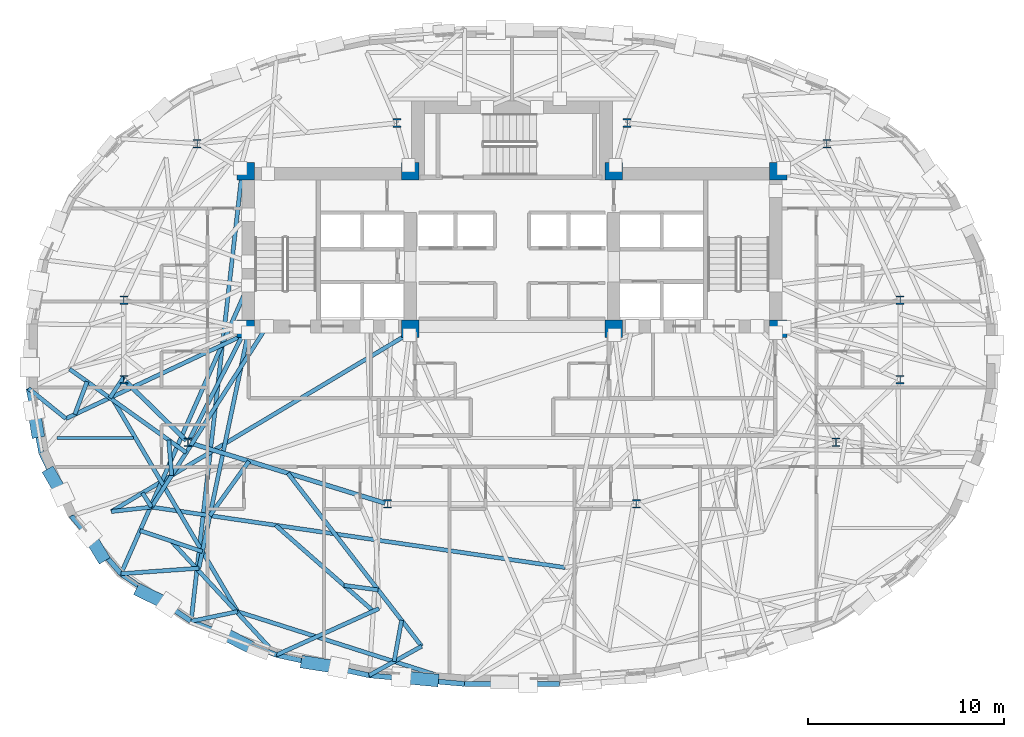
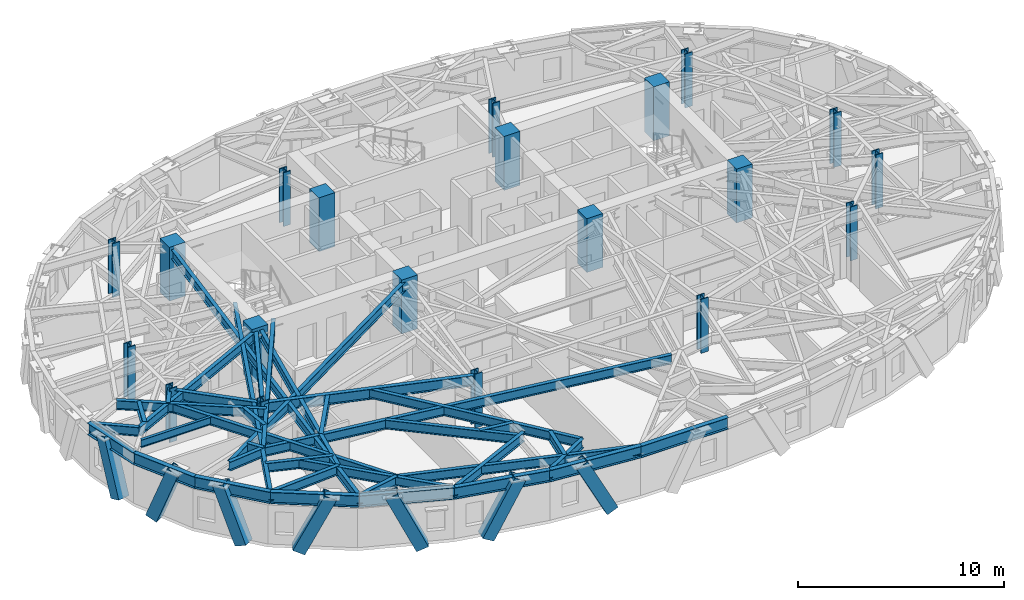
# One storey, part 1 of 15: 39 beams, 20 columns, 7 members.
"""IFC4 building model written with IfcOpenShell, lengths in metres."""

from ifc_helpers import new_model, si_unit, direction, frame, origin, origin_2d, place, context, subcontext, project, spatial, rectangle, hollow_rectangle, i_section, extrude, material, material_profile, profile_set, type_object, element, save


model = new_model("IFC4")

# Units and contexts
model_context = context("Model", 3, precision=1e-05, world=origin(), true_north=direction((0.0, 1.0)))
body_context = subcontext(model_context, "Body", "Model", "MODEL_VIEW")
ifc_project = project(units=[si_unit("LENGTHUNIT", "METRE"), si_unit("AREAUNIT", "SQUARE_METRE"), si_unit("VOLUMEUNIT", "CUBIC_METRE"), si_unit("PLANEANGLEUNIT", "RADIAN"), si_unit("MASSUNIT", "GRAM", prefix="KILO")], contexts=[model_context])

# Site, building, storey
site_placement = place(None, origin())
site = spatial("IfcSite", under=ifc_project, at=site_placement, CompositionType="ELEMENT")
building_placement = place(site_placement, origin())
building = spatial("IfcBuilding", under=site, at=building_placement, Name="Keldmark Tower", CompositionType="ELEMENT")
storey_placement = place(building_placement, frame((0.0, 0.0, 150.199951171875)))
storey = spatial("IfcBuildingStorey", under=building, at=storey_placement, Name="L40", CompositionType="ELEMENT", Elevation=150.199951171875)

# Columns
ifc_material_1 = material(Name="Concrete C50/60", Category="concrete")
ifc_material_profile_1 = material_profile(ifc_material_1, rectangle(XDim=0.89990234375, YDim=0.89990234375, at=origin_2d()), Name="RC900X900")
ifc_profile_set_1 = profile_set([ifc_material_profile_1], Name="Concrete C50/60")
column_type_1 = type_object("IfcColumnType", Name="Core Boundary Column RC900", PredefinedType="COLUMN", material=ifc_profile_set_1)
for number, where, z_axis, x_axis, name in (
    (1, (-13.60009765625, 1.39990234375, 0.0), (0.0, 0.0, 1.0), (1.0, 0.0, 0.0), "L40 Core Boundary Column CC-W1"),
    (2, (-13.60009765625, 9.449951171875, 0.0), (0.0, 0.0, 1.0), (1.0, 0.0, 0.0), "L40 Core Boundary Column CC-W2"),
    (3, (-5.199951171875, 1.39990234375, 0.0), (0.0, 0.0, 1.0), (1.0, 0.0, 0.0), "L40 Core Boundary Column CC-W3"),
    (4, (-5.199951171875, 9.449951171875, 0.0), (0.0, 0.0, 1.0), (1.0, 0.0, 0.0), "L40 Core Boundary Column CC-W4"),
    (5, (5.199951171875, 1.39990234375, 0.0), (0.0, 0.0, 1.0), (1.0, 0.0, 0.0), "L40 Core Boundary Column CC-E1"),
    (6, (5.199951171875, 9.449951171875, 0.0), (0.0, 0.0, 1.0), (1.0, 0.0, 0.0), "L40 Core Boundary Column CC-E2"),
    (7, (13.60009765625, 1.39990234375, 0.0), (0.0, 0.0, 1.0), (1.0, 0.0, 0.0), "L40 Core Boundary Column CC-E3"),
    (8, (13.60009765625, 9.449951171875, 0.0), (0.0, 0.0, 1.0), (1.0, 0.0, 0.0), "L40 Core Boundary Column CC-E4"),
):
    element("IfcColumn", number, at=place(storey_placement, frame(where, z_axis=z_axis, x_axis=x_axis)), inside=storey, type_object=column_type_1, Name=name, PredefinedType="COLUMN", context=body_context, shape_type="SweptSolid", body=[
        extrude(rectangle(XDim=0.89990234375, YDim=0.89990234375, at=origin_2d()), origin(), (0.0, 0.0, 1.0), 3.199951171875),
    ])
ifc_material_2 = material(Name="Steel ASTM A992 Grade 50", Category="steel")
ifc_material_profile_2 = material_profile(ifc_material_2, i_section(OverallWidth=0.412109375, OverallDepth=0.43505859375, WebThickness=0.035888671875, FlangeThickness=0.057373046875, at=origin_2d()), Name="W14X311")
ifc_profile_set_2 = profile_set([ifc_material_profile_2], Name="Steel ASTM A992 Grade 50")
column_type_2 = type_object("IfcColumnType", Name="Tower Gravity Column W14X311", PredefinedType="COLUMN", material=ifc_profile_set_2)
for number, where, z_axis, x_axis, name in (
    (9, (19.828369140625, 2.869140625, 0.0), (0.0, 0.0, 1.0), (1.0, 0.0, 0.0), "L40 Tower Gravity Column TC-E1"),
    (10, (16.08154296875, 10.861083984375, 0.0), (0.0, 0.0, 1.0), (1.0, 0.0, 0.0), "L40 Tower Gravity Column TC-E4"),
    (11, (5.880126953125, 11.915283203125, 0.0), (0.0, 0.0, 1.0), (1.0, 0.0, 0.0), "L40 Tower Gravity Column TC-N2"),
    (12, (-5.880126953125, 11.915283203125, 0.0), (0.0, 0.0, 1.0), (1.0, 0.0, 0.0), "L40 Tower Gravity Column TC-N1"),
    (13, (-16.08154296875, 10.861083984375, 0.0), (0.0, 0.0, 1.0), (1.0, 0.0, 0.0), "L40 Tower Gravity Column TC-W4"),
    (14, (-19.828369140625, 2.869140625, 0.0), (0.0, 0.0, 1.0), (1.0, 0.0, 0.0), "L40 Tower Gravity Column TC-W1"),
    (15, (-19.828369140625, -1.189208984375, 0.0), (0.0, 0.0, 1.0), (1.0, 0.0, 0.0), "L40 Tower Gravity Column TC-W5"),
    (16, (-16.546630859375, -4.3984375, 0.0), (0.0, 0.0, 1.0), (1.0, 0.0, 0.0), "L40 Tower Gravity Column TC-W2"),
    (17, (-6.351318359375, -7.546142578125, 0.0), (0.0, 0.0, 1.0), (1.0, 0.0, 0.0), "L40 Tower Gravity Column TC-W3"),
    (18, (6.351318359375, -7.546142578125, 0.0), (0.0, 0.0, 1.0), (1.0, 0.0, 0.0), "L40 Tower Gravity Column TC-E3"),
    (19, (16.546630859375, -4.3984375, 0.0), (0.0, 0.0, 1.0), (1.0, 0.0, 0.0), "L40 Tower Gravity Column TC-E2"),
    (20, (19.828369140625, -1.189208984375, 0.0), (0.0, 0.0, 1.0), (1.0, 0.0, 0.0), "L40 Tower Gravity Column TC-E5"),
):
    element("IfcColumn", number, at=place(storey_placement, frame(where, z_axis=z_axis, x_axis=x_axis)), inside=storey, type_object=column_type_2, Name=name, PredefinedType="COLUMN", context=body_context, shape_type="SweptSolid", body=[
        extrude(i_section(OverallWidth=0.412109375, OverallDepth=0.43505859375, WebThickness=0.035888671875, FlangeThickness=0.057373046875, at=origin_2d()), origin(), (0.0, 0.0, 1.0), 3.199951171875),
    ])

# Beam
ifc_material_3 = material(Name="Steel ASTM A992 Grade 50", Category="steel")
ifc_material_profile_3 = material_profile(ifc_material_3, i_section(OverallWidth=0.153076171875, OverallDepth=0.455078125, WebThickness=0.008056640625, FlangeThickness=0.01318359375, at=origin_2d()), Name="W18X40")
ifc_profile_set_3 = profile_set([ifc_material_profile_3], Name="Steel ASTM A992 Grade 50")
beam_type_1 = type_object("IfcBeamType", Name="Composite Floor Joist W18X40", PredefinedType="JOIST", material=ifc_profile_set_3)
beam_1_placement = place(storey_placement, frame((-23.255615234375, -4.179931640625, 2.79248046875), z_axis=(1.0, 0.0, 0.0), x_axis=(0.0, 1.0, 0.0)))
element("IfcBeam", 21, at=beam_1_placement, inside=storey, type_object=beam_type_1, Name="L40 Composite Floor Joist J02", PredefinedType="JOIST", context=body_context, shape_type="SweptSolid", body=[
    extrude(i_section(OverallWidth=0.153076171875, OverallDepth=0.455078125, WebThickness=0.008056640625, FlangeThickness=0.01318359375, at=origin_2d()), origin(), (0.0, 0.0, 1.0), 3.91455078125),
])

# Members
ifc_material_4 = material(Name="Steel ASTM A572 Grade 50", Category="steel")
ifc_material_profile_4 = material_profile(ifc_material_4, hollow_rectangle(XDim=0.64990234375, YDim=0.64990234375, WallThickness=0.0400390625, at=origin_2d()), Name="BOX650X650X40")
ifc_profile_set_4 = profile_set([ifc_material_profile_4], Name="Steel ASTM A572 Grade 50")
member_type = type_object("IfcMemberType", Name="Diagrid Zone 3 Brace BOX650X650X40", PredefinedType="BRACE", material=ifc_profile_set_4)
member_1_placement = place(storey_placement, frame((-24.240234375, -3.848388671875, -0.260009765625), z_axis=(-0.054240986577, 0.330032741146, 0.942409839267), x_axis=(-0.986762068157, -0.162174661544, 0.0)))
element("IfcMember", 22, at=member_1_placement, inside=storey, type_object=member_type, Name="L40 Perimeter Diagrid Brace 09A", PredefinedType="BRACE", context=body_context, shape_type="SweptSolid", body=[
    extrude(hollow_rectangle(XDim=0.64990234375, YDim=0.64990234375, WallThickness=0.0400390625, at=origin_2d()), origin(), (0.0, 0.0, 1.0), 3.353271484375),
])
member_2_placement = place(storey_placement, frame((-23.574951171875, -6.026123046875, -0.260009765625), z_axis=(0.179422195456, -0.308323257839, 0.934207923566), x_axis=(0.864306761674, 0.502965030319, 0.0)))
element("IfcMember", 23, at=member_2_placement, inside=storey, type_object=member_type, Name="L40 Perimeter Diagrid Brace 09B", PredefinedType="BRACE", context=body_context, shape_type="SweptSolid", body=[
    extrude(hollow_rectangle(XDim=0.64990234375, YDim=0.64990234375, WallThickness=0.0400390625, at=origin_2d()), origin(), (0.0, 0.0, 1.0), 3.3828125),
])
member_3_placement = place(storey_placement, frame((-20.96044921875, -10.195068359375, -0.260009765625), z_axis=(-0.192310719836, 0.317696448398, 0.928485623858), x_axis=(-0.855475309795, -0.517843600262, 0.0)))
element("IfcMember", 24, at=member_3_placement, inside=storey, type_object=member_type, Name="L40 Perimeter Diagrid Brace 10A", PredefinedType="BRACE", context=body_context, shape_type="SweptSolid", body=[
    extrude(hollow_rectangle(XDim=0.64990234375, YDim=0.64990234375, WallThickness=0.0400390625, at=origin_2d()), origin(), (0.0, 0.0, 1.0), 3.403564453125),
])
member_4_placement = place(storey_placement, frame((-18.9306640625, -12.00732421875, -0.260009765625), z_axis=(0.394893634989, -0.194706909084, 0.897857581468), x_axis=(0.442228252269, 0.8969025437, 0.0)))
element("IfcMember", 25, at=member_4_placement, inside=storey, type_object=member_type, Name="L40 Perimeter Diagrid Brace 10B", PredefinedType="BRACE", context=body_context, shape_type="SweptSolid", body=[
    extrude(hollow_rectangle(XDim=0.64990234375, YDim=0.64990234375, WallThickness=0.0400390625, at=origin_2d()), origin(), (0.0, 0.0, 1.0), 3.519775390625),
])
member_5_placement = place(storey_placement, frame((-13.562744140625, -14.759765625, -0.260009765625), z_axis=(-0.382519162566, 0.197744138724, 0.902538833441), x_axis=(-0.45922027239, -0.888322431005, 0.0)))
element("IfcMember", 26, at=member_5_placement, inside=storey, type_object=member_type, Name="L40 Perimeter Diagrid Brace 11A", PredefinedType="BRACE", context=body_context, shape_type="SweptSolid", body=[
    extrude(hollow_rectangle(XDim=0.64990234375, YDim=0.64990234375, WallThickness=0.0400390625, at=origin_2d()), origin(), (0.0, 0.0, 1.0), 3.50146484375),
])
member_6_placement = place(storey_placement, frame((-10.4892578125, -15.640869140625, -0.260009765625), z_axis=(0.460076413908, -0.072942278401, 0.884878024016), x_axis=(0.156588037619, 0.987664004849, 0.0)))
element("IfcMember", 27, at=member_6_placement, inside=storey, type_object=member_type, Name="L40 Perimeter Diagrid Brace 11B", PredefinedType="BRACE", context=body_context, shape_type="SweptSolid", body=[
    extrude(hollow_rectangle(XDim=0.64990234375, YDim=0.64990234375, WallThickness=0.0400390625, at=origin_2d()), origin(), (0.0, 0.0, 1.0), 3.5712890625),
])
member_7_placement = place(storey_placement, frame((-4.041015625, -16.54150390625, -0.260009765625), z_axis=(-0.454817732404, 0.042540371163, 0.889567955309), x_axis=(-0.093126324045, -0.995654301337, 0.0)))
element("IfcMember", 28, at=member_7_placement, inside=storey, type_object=member_type, Name="L40 Perimeter Diagrid Brace 12A", PredefinedType="BRACE", context=body_context, shape_type="SweptSolid", body=[
    extrude(hollow_rectangle(XDim=0.64990234375, YDim=0.64990234375, WallThickness=0.0400390625, at=origin_2d()), origin(), (0.0, 0.0, 1.0), 3.552490234375),
])

# Beams
ifc_material_5 = material(Name="Steel ASTM A992 Grade 50", Category="steel")
ifc_material_profile_5 = material_profile(ifc_material_5, i_section(OverallWidth=0.22900390625, OverallDepth=0.612060546875, WebThickness=0.011962890625, FlangeThickness=0.01953125, at=origin_2d()), Name="W24X84")
ifc_profile_set_5 = profile_set([ifc_material_profile_5], Name="Steel ASTM A992 Grade 50")
beam_type_2 = type_object("IfcBeamType", Name="Primary Floor Girder W24X84", PredefinedType="BEAM", material=ifc_profile_set_5)
beam_2_placement = place(storey_placement, frame((-19.728271484375, -1.287109375, 2.714111328125), z_axis=(0.714964509815, -0.699160746684, 0.0), x_axis=(0.699160746684, 0.714964509815, 0.0)))
element("IfcBeam", 29, at=beam_2_placement, inside=storey, type_object=beam_type_2, Name="L40 Floor Ring Girder FG-R07", PredefinedType="BEAM", context=body_context, shape_type="SweptSolid", body=[
    extrude(i_section(OverallWidth=0.22900390625, OverallDepth=0.612060546875, WebThickness=0.011962890625, FlangeThickness=0.01953125, at=origin_2d()), origin(), (0.0, 0.0, 1.0), 4.31005859375),
])
beam_3_placement = place(storey_placement, frame((-16.412841796875, -4.439697265625, 2.714111328125), z_axis=(0.955494563145, -0.295008711398, 0.0), x_axis=(0.295008711398, 0.955494563145, 0.0)))
element("IfcBeam", 30, at=beam_3_placement, inside=storey, type_object=beam_type_2, Name="L40 Floor Ring Girder FG-R08", PredefinedType="BEAM", context=body_context, shape_type="SweptSolid", body=[
    extrude(i_section(OverallWidth=0.22900390625, OverallDepth=0.612060546875, WebThickness=0.011962890625, FlangeThickness=0.01953125, at=origin_2d()), origin(), (0.0, 0.0, 1.0), 10.39013671875),
])
ifc_material_6 = material(Name="Steel ASTM A992 Grade 50", Category="steel")
ifc_material_profile_6 = material_profile(ifc_material_6, i_section(OverallWidth=0.2099609375, OverallDepth=0.537109375, WebThickness=0.010986328125, FlangeThickness=0.017333984375, at=origin_2d()), Name="W21X68")
ifc_profile_set_6 = profile_set([ifc_material_profile_6], Name="Steel ASTM A992 Grade 50")
beam_type_3 = type_object("IfcBeamType", Name="Radial Tie Girder W21X68", PredefinedType="BEAM", material=ifc_profile_set_6)
beam_4_placement = place(storey_placement, frame((-16.4833984375, -4.273681640625, 2.75146484375), z_axis=(0.453036691775, 0.891491870914, 0.0), x_axis=(-0.891491870914, 0.453036691775, 0.0)))
element("IfcBeam", 31, at=beam_4_placement, inside=storey, type_object=beam_type_3, Name="L40 Floor Radial Girder FG-C08", PredefinedType="BEAM", context=body_context, shape_type="SweptSolid", body=[
    extrude(i_section(OverallWidth=0.2099609375, OverallDepth=0.537109375, WebThickness=0.010986328125, FlangeThickness=0.017333984375, at=origin_2d()), origin(), (0.0, 0.0, 1.0), 6.044189453125),
])
beam_5_placement = place(storey_placement, frame((-22.5986328125, -0.6552734375, 2.75146484375), z_axis=(0.812929104938, -0.582362662217, 0.0), x_axis=(0.582362662217, 0.812929104938, 0.0)))
element("IfcBeam", 32, at=beam_5_placement, inside=storey, type_object=beam_type_3, Name="L40 Framing Pin Header PH-006", PredefinedType="BEAM", context=body_context, shape_type="SweptSolid", body=[
    extrude(i_section(OverallWidth=0.2099609375, OverallDepth=0.537109375, WebThickness=0.010986328125, FlangeThickness=0.017333984375, at=origin_2d()), origin(), (0.0, 0.0, 1.0), 7.328369140625),
])
beam_6_placement = place(storey_placement, frame((-12.52490234375, 1.52490234375, 2.75146484375), z_axis=(-0.538066457833, -0.842902418406, 0.0), x_axis=(0.842902418406, -0.538066457833, 0.0)))
element("IfcBeam", 33, at=beam_6_placement, inside=storey, type_object=beam_type_3, Name="L40 Sub-Ring Step Girder STP2-M08", PredefinedType="BEAM", context=body_context, shape_type="SweptSolid", body=[
    extrude(i_section(OverallWidth=0.2099609375, OverallDepth=0.537109375, WebThickness=0.010986328125, FlangeThickness=0.017333984375, at=origin_2d()), origin(), (0.0, 0.0, 1.0), 10.951416015625),
])
beam_7_placement = place(storey_placement, frame((-18.41748046875, -7.7060546875, 2.75146484375), z_axis=(0.989482499503, -0.144652629347, 0.0), x_axis=(0.144652629347, 0.989482499503, 0.0)))
element("IfcBeam", 34, at=beam_7_placement, inside=storey, type_object=beam_type_3, Name="L40 Perimeter Collector Ring Beam CRG2-M08", PredefinedType="BEAM", context=body_context, shape_type="SweptSolid", body=[
    extrude(i_section(OverallWidth=0.2099609375, OverallDepth=0.537109375, WebThickness=0.010986328125, FlangeThickness=0.017333984375, at=origin_2d()), origin(), (0.0, 0.0, 1.0), 21.362060546875),
])
beam_8_placement = place(storey_placement, frame((-19.828369140625, -1.04931640625, 2.75146484375), z_axis=(-0.552520960283, -0.833499003268, 0.0), x_axis=(0.833499003268, -0.552520960283, 0.0)))
element("IfcBeam", 35, at=beam_8_placement, inside=storey, type_object=beam_type_3, Name="L40 Framing Pin Header PH-019", PredefinedType="BEAM", context=body_context, shape_type="SweptSolid", body=[
    extrude(i_section(OverallWidth=0.2099609375, OverallDepth=0.537109375, WebThickness=0.010986328125, FlangeThickness=0.017333984375, at=origin_2d()), origin(), (0.0, 0.0, 1.0), 1.293701171875),
])
beam_9_placement = place(storey_placement, frame((-13.47509765625, 1.199951171875, 2.75146484375), z_axis=(-0.904738050541, -0.425968378995, 0.0), x_axis=(0.425968378995, -0.904738050541, 0.0)))
element("IfcBeam", 36, at=beam_9_placement, inside=storey, type_object=beam_type_3, Name="L40 Intermediate Radial Step Girder RT-18M", PredefinedType="BEAM", context=body_context, shape_type="SweptSolid", body=[
    extrude(i_section(OverallWidth=0.2099609375, OverallDepth=0.537109375, WebThickness=0.010986328125, FlangeThickness=0.017333984375, at=origin_2d()), origin(), (0.0, 0.0, 1.0), 10.29248046875),
])
beam_10_placement = place(storey_placement, frame((-24.69873046875, -1.64892578125, 2.75146484375), z_axis=(0.779653034858, -0.626211741535, 0.0), x_axis=(0.626211741535, 0.779653034858, 0.0)))
element("IfcBeam", 37, at=beam_10_placement, inside=storey, type_object=beam_type_3, Name="L40 Local Collector Chord RT-18C", PredefinedType="BEAM", context=body_context, shape_type="SweptSolid", body=[
    extrude(i_section(OverallWidth=0.2099609375, OverallDepth=0.537109375, WebThickness=0.010986328125, FlangeThickness=0.017333984375, at=origin_2d()), origin(), (0.0, 0.0, 1.0), 2.451904296875),
])
beam_11_placement = place(storey_placement, frame((-21.705078125, -1.29541015625, 2.75146484375), z_axis=(-0.3518703491, -0.936048747355, 0.0), x_axis=(0.936048747355, -0.3518703491, 0.0)))
element("IfcBeam", 38, at=beam_11_placement, inside=storey, type_object=beam_type_3, Name="L40 Framing Pin Header PH-020", PredefinedType="BEAM", context=body_context, shape_type="SweptSolid", body=[
    extrude(i_section(OverallWidth=0.2099609375, OverallDepth=0.537109375, WebThickness=0.010986328125, FlangeThickness=0.017333984375, at=origin_2d()), origin(), (0.0, 0.0, 1.0), 1.790771484375),
])
beam_12_placement = place(storey_placement, frame((-17.53466796875, -4.282958984375, 2.75146484375), z_axis=(0.082588324738, -0.996583748923, 0.0), x_axis=(0.996583748923, 0.082588324738, 0.0)))
element("IfcBeam", 39, at=beam_12_placement, inside=storey, type_object=beam_type_3, Name="L40 Framing Pin Header PH-021", PredefinedType="BEAM", context=body_context, shape_type="SweptSolid", body=[
    extrude(i_section(OverallWidth=0.2099609375, OverallDepth=0.537109375, WebThickness=0.010986328125, FlangeThickness=0.017333984375, at=origin_2d()), origin(), (0.0, 0.0, 1.0), 1.81201171875),
])
beam_13_placement = place(storey_placement, frame((-5.199951171875, 1.199951171875, 2.75146484375), z_axis=(-0.858184836638, -0.513340808981, 0.0), x_axis=(0.513340808981, -0.858184836638, 0.0)))
element("IfcBeam", 40, at=beam_13_placement, inside=storey, type_object=beam_type_3, Name="L40 Intermediate Radial Step Girder RT-19M", PredefinedType="BEAM", context=body_context, shape_type="SweptSolid", body=[
    extrude(i_section(OverallWidth=0.2099609375, OverallDepth=0.537109375, WebThickness=0.010986328125, FlangeThickness=0.017333984375, at=origin_2d()), origin(), (0.0, 0.0, 1.0), 17.78857421875),
])
beam_14_placement = place(storey_placement, frame((-18.41748046875, -7.7060546875, 2.75146484375), z_axis=(-0.993990183721, -0.109469240734, 0.0), x_axis=(0.109469240734, -0.993990183721, 0.0)))
element("IfcBeam", 41, at=beam_14_placement, inside=storey, type_object=beam_type_3, Name="L40 Local Collector Chord RT-19C", PredefinedType="BEAM", context=body_context, shape_type="SweptSolid", body=[
    extrude(i_section(OverallWidth=0.2099609375, OverallDepth=0.537109375, WebThickness=0.010986328125, FlangeThickness=0.017333984375, at=origin_2d()), origin(), (0.0, 0.0, 1.0), 2.060791015625),
])
beam_15_placement = place(storey_placement, frame((-18.41748046875, -7.7060546875, 2.75146484375), z_axis=(-0.534314085557, 0.845286021401, 0.0), x_axis=(-0.845286021401, -0.534314085557, 0.0)))
element("IfcBeam", 42, at=beam_15_placement, inside=storey, type_object=beam_type_3, Name="L40 Framing Pin Header PH-022", PredefinedType="BEAM", context=body_context, shape_type="SweptSolid", body=[
    extrude(i_section(OverallWidth=0.2099609375, OverallDepth=0.537109375, WebThickness=0.010986328125, FlangeThickness=0.017333984375, at=origin_2d()), origin(), (0.0, 0.0, 1.0), 0.858154296875),
])
beam_16_placement = place(storey_placement, frame((-13.47509765625, 3.6142578125, 2.75146484375), z_axis=(-0.403801137643, -0.914846785663, 0.0), x_axis=(0.914846785663, -0.403801137643, 0.0)))
element("IfcBeam", 43, at=beam_16_placement, inside=storey, type_object=beam_type_3, Name="L40 Perimeter Radial Tie Girder RT-20", PredefinedType="BEAM", context=body_context, shape_type="SweptSolid", body=[
    extrude(i_section(OverallWidth=0.2099609375, OverallDepth=0.537109375, WebThickness=0.010986328125, FlangeThickness=0.017333984375, at=origin_2d()), origin(), (0.0, 0.0, 1.0), 16.096923828125),
])
beam_17_placement = place(storey_placement, frame((-13.4345703125, -5.359375, 2.75146484375), z_axis=(-0.583399653221, -0.812185228025, 0.0), x_axis=(0.812185228025, -0.583399653221, 0.0)))
element("IfcBeam", 44, at=beam_17_placement, inside=storey, type_object=beam_type_3, Name="L40 Framing Pin Header PH-023", PredefinedType="BEAM", context=body_context, shape_type="SweptSolid", body=[
    extrude(i_section(OverallWidth=0.2099609375, OverallDepth=0.537109375, WebThickness=0.010986328125, FlangeThickness=0.017333984375, at=origin_2d()), origin(), (0.0, 0.0, 1.0), 3.426513671875),
])
beam_18_placement = place(storey_placement, frame((-13.47509765625, 1.199951171875, 2.75146484375), z_axis=(-0.205176482086, -0.97872499263, 0.0), x_axis=(0.97872499263, -0.205176482086, 0.0)))
element("IfcBeam", 45, at=beam_18_placement, inside=storey, type_object=beam_type_3, Name="L40 Intermediate Radial Step Girder RT-21M", PredefinedType="BEAM", context=body_context, shape_type="SweptSolid", body=[
    extrude(i_section(OverallWidth=0.2099609375, OverallDepth=0.537109375, WebThickness=0.010986328125, FlangeThickness=0.017333984375, at=origin_2d()), origin(), (0.0, 0.0, 1.0), 12.29052734375),
])
beam_19_placement = place(storey_placement, frame((-19.97509765625, -11.112060546875, 2.75146484375), z_axis=(0.997480095059, 0.070946881263, 0.0), x_axis=(-0.070946881263, 0.997480095059, 0.0)))
element("IfcBeam", 46, at=beam_19_placement, inside=storey, type_object=beam_type_3, Name="L40 Local Collector Chord RT-21C", PredefinedType="BEAM", context=body_context, shape_type="SweptSolid", body=[
    extrude(i_section(OverallWidth=0.2099609375, OverallDepth=0.537109375, WebThickness=0.010986328125, FlangeThickness=0.017333984375, at=origin_2d()), origin(), (0.0, 0.0, 1.0), 3.98828125),
])
beam_20_placement = place(storey_placement, frame((-13.800048828125, 9.324951171875, 2.75146484375), z_axis=(-0.112683299021, -0.993630954692, 0.0), x_axis=(0.993630954692, -0.112683299021, 0.0)))
element("IfcBeam", 47, at=beam_20_placement, inside=storey, type_object=beam_type_3, Name="L40 Perimeter Radial Tie Girder RT-21", PredefinedType="BEAM", context=body_context, shape_type="SweptSolid", body=[
    extrude(i_section(OverallWidth=0.2099609375, OverallDepth=0.537109375, WebThickness=0.010986328125, FlangeThickness=0.017333984375, at=origin_2d()), origin(), (0.0, 0.0, 1.0), 23.011474609375),
])
beam_21_placement = place(storey_placement, frame((-19.0, -8.903076171875, 2.75146484375), z_axis=(0.947293037227, -0.320368384242, 0.0), x_axis=(0.320368384242, 0.947293037227, 0.0)))
element("IfcBeam", 48, at=beam_21_placement, inside=storey, type_object=beam_type_3, Name="L40 Framing Pin Header PH-024", PredefinedType="BEAM", context=body_context, shape_type="SweptSolid", body=[
    extrude(i_section(OverallWidth=0.2099609375, OverallDepth=0.537109375, WebThickness=0.010986328125, FlangeThickness=0.017333984375, at=origin_2d()), origin(), (0.0, 0.0, 1.0), 3.3583984375),
])
beam_22_placement = place(storey_placement, frame((-20.458984375, -2.088134765625, 2.75146484375), z_axis=(0.506928631547, -0.86198802922, 0.0), x_axis=(0.86198802922, 0.506928631547, 0.0)))
element("IfcBeam", 49, at=beam_22_placement, inside=storey, type_object=beam_type_3, Name="L40 Intermediate Radial Step Girder RT-22M", PredefinedType="BEAM", context=body_context, shape_type="SweptSolid", body=[
    extrude(i_section(OverallWidth=0.2099609375, OverallDepth=0.537109375, WebThickness=0.010986328125, FlangeThickness=0.017333984375, at=origin_2d()), origin(), (0.0, 0.0, 1.0), 12.711181640625),
])
beam_23_placement = place(storey_placement, frame((-16.39306640625, -13.5400390625, 2.75146484375), z_axis=(0.978999650355, 0.203861925343, 0.0), x_axis=(-0.203861925343, 0.978999650355, 0.0)))
element("IfcBeam", 50, at=beam_23_placement, inside=storey, type_object=beam_type_3, Name="L40 Local Collector Chord RT-22C", PredefinedType="BEAM", context=body_context, shape_type="SweptSolid", body=[
    extrude(i_section(OverallWidth=0.2099609375, OverallDepth=0.537109375, WebThickness=0.010986328125, FlangeThickness=0.017333984375, at=origin_2d()), origin(), (0.0, 0.0, 1.0), 2.4287109375),
])
beam_24_placement = place(storey_placement, frame((-17.4091796875, -9.44091796875, 2.75146484375), z_axis=(0.678459272007, -0.734638017141, 0.0), x_axis=(0.734638017141, 0.678459272007, 0.0)))
element("IfcBeam", 51, at=beam_24_placement, inside=storey, type_object=beam_type_3, Name="L40 Perimeter Radial Tie Girder RT-22", PredefinedType="BEAM", context=body_context, shape_type="SweptSolid", body=[
    extrude(i_section(OverallWidth=0.2099609375, OverallDepth=0.537109375, WebThickness=0.010986328125, FlangeThickness=0.017333984375, at=origin_2d()), origin(), (0.0, 0.0, 1.0), 7.92236328125),
])
beam_25_placement = place(storey_placement, frame((-12.0341796875, -15.260986328125, 2.75146484375), z_axis=(0.910977660275, 0.412455697596, 0.0), x_axis=(-0.412455697596, 0.910977660275, 0.0)))
element("IfcBeam", 52, at=beam_25_placement, inside=storey, type_object=beam_type_3, Name="L40 Local Collector Chord RT-23C", PredefinedType="BEAM", context=body_context, shape_type="SweptSolid", body=[
    extrude(i_section(OverallWidth=0.2099609375, OverallDepth=0.537109375, WebThickness=0.010986328125, FlangeThickness=0.017333984375, at=origin_2d()), origin(), (0.0, 0.0, 1.0), 5.75),
])
beam_26_placement = place(storey_placement, frame((-12.076171875, -8.633056640625, 2.75146484375), z_axis=(0.751175386678, -0.660102672657, 0.0), x_axis=(0.660102672657, 0.751175386678, 0.0)))
element("IfcBeam", 53, at=beam_26_placement, inside=storey, type_object=beam_type_3, Name="L40 Framing Pin Header PH-026", PredefinedType="BEAM", context=body_context, shape_type="SweptSolid", body=[
    extrude(i_section(OverallWidth=0.2099609375, OverallDepth=0.537109375, WebThickness=0.010986328125, FlangeThickness=0.017333984375, at=origin_2d()), origin(), (0.0, 0.0, 1.0), 6.6455078125),
])
beam_27_placement = place(storey_placement, frame((-8.581787109375, -11.703857421875, 2.75146484375), z_axis=(0.991036660093, -0.133590188084, 0.0), x_axis=(0.133590188084, 0.991036660093, 0.0)))
element("IfcBeam", 54, at=beam_27_placement, inside=storey, type_object=beam_type_3, Name="L40 Framing Pin Header PH-027", PredefinedType="BEAM", context=body_context, shape_type="SweptSolid", body=[
    extrude(i_section(OverallWidth=0.2099609375, OverallDepth=0.537109375, WebThickness=0.010986328125, FlangeThickness=0.017333984375, at=origin_2d()), origin(), (0.0, 0.0, 1.0), 1.760009765625),
])
beam_28_placement = place(storey_placement, frame((-11.448974609375, -5.972412109375, 2.75146484375), z_axis=(0.611505938945, -0.791239841411, 0.0), x_axis=(0.791239841411, 0.611505938945, 0.0)))
element("IfcBeam", 55, at=beam_28_placement, inside=storey, type_object=beam_type_3, Name="L40 Intermediate Radial Step Girder RT-24M", PredefinedType="BEAM", context=body_context, shape_type="SweptSolid", body=[
    extrude(i_section(OverallWidth=0.2099609375, OverallDepth=0.537109375, WebThickness=0.010986328125, FlangeThickness=0.017333984375, at=origin_2d()), origin(), (0.0, 0.0, 1.0), 11.176513671875),
])
beam_29_placement = place(storey_placement, frame((-7.294921875, -16.30078125, 2.75146484375), z_axis=(0.874712899767, 0.484641458173, 0.0), x_axis=(-0.484641458173, 0.874712899767, 0.0)))
element("IfcBeam", 56, at=beam_29_placement, inside=storey, type_object=beam_type_3, Name="L40 Local Collector Chord RT-24C", PredefinedType="BEAM", context=body_context, shape_type="SweptSolid", body=[
    extrude(i_section(OverallWidth=0.2099609375, OverallDepth=0.537109375, WebThickness=0.010986328125, FlangeThickness=0.017333984375, at=origin_2d()), origin(), (0.0, 0.0, 1.0), 3.064453125),
])
beam_30_placement = place(storey_placement, frame((-5.6396484375, -13.4892578125, 2.75146484375), z_axis=(-0.178895471844, -0.983868085748, 0.0), x_axis=(0.983868085748, -0.178895471844, 0.0)))
element("IfcBeam", 57, at=beam_30_placement, inside=storey, type_object=beam_type_3, Name="L40 Framing Pin Header PH-028", PredefinedType="BEAM", context=body_context, shape_type="SweptSolid", body=[
    extrude(i_section(OverallWidth=0.2099609375, OverallDepth=0.537109375, WebThickness=0.010986328125, FlangeThickness=0.017333984375, at=origin_2d()), origin(), (0.0, 0.0, 1.0), 2.14111328125),
])
beam_31_placement = place(storey_placement, frame((-14.015380859375, -13.044921875, 2.75146484375), z_axis=(0.952649806053, -0.30406964174, 0.0), x_axis=(0.30406964174, 0.952649806053, 0.0)))
element("IfcBeam", 58, at=beam_31_placement, inside=storey, type_object=beam_type_3, Name="L40 Perimeter Radial Tie Girder RT-24", PredefinedType="BEAM", context=body_context, shape_type="SweptSolid", body=[
    extrude(i_section(OverallWidth=0.2099609375, OverallDepth=0.537109375, WebThickness=0.010986328125, FlangeThickness=0.017333984375, at=origin_2d()), origin(), (0.0, 0.0, 1.0), 12.158447265625),
])
ifc_material_7 = material(Name="Steel ASTM A992 Grade 50", Category="steel")
ifc_material_profile_7 = material_profile(ifc_material_7, i_section(OverallWidth=0.256103515625, OverallDepth=0.693115234375, WebThickness=0.014404296875, FlangeThickness=0.023681640625, at=origin_2d()), Name="W27X114")
ifc_profile_set_7 = profile_set([ifc_material_profile_7], Name="Steel ASTM A992 Grade 50")
beam_type_4 = type_object("IfcBeamType", Name="Spandrel Ring Beam W27X114", PredefinedType="SPANDREL", material=ifc_profile_set_7)
beam_32_placement = place(storey_placement, frame((-24.69873046875, -1.64892578125, 2.673583984375), z_axis=(0.193669845908, -0.981066761635, 0.0), x_axis=(0.981066761635, 0.193669845908, 0.0)))
element("IfcBeam", 59, at=beam_32_placement, inside=storey, type_object=beam_type_4, Name="L40 Perimeter Spandrel Ring Beam SRB-17", PredefinedType="SPANDREL", context=body_context, shape_type="SweptSolid", body=[
    extrude(i_section(OverallWidth=0.256103515625, OverallDepth=0.693115234375, WebThickness=0.014404296875, FlangeThickness=0.023681640625, at=origin_2d()), origin(), (0.0, 0.0, 1.0), 3.359619140625),
])
beam_33_placement = place(storey_placement, frame((-24.048095703125, -4.94482421875, 2.673583984375), z_axis=(0.430899691529, -0.902399831472, 0.0), x_axis=(0.902399831472, 0.430899691529, 0.0)))
element("IfcBeam", 60, at=beam_33_placement, inside=storey, type_object=beam_type_4, Name="L40 Perimeter Spandrel Ring Beam SRB-18", PredefinedType="SPANDREL", context=body_context, shape_type="SweptSolid", body=[
    extrude(i_section(OverallWidth=0.256103515625, OverallDepth=0.693115234375, WebThickness=0.014404296875, FlangeThickness=0.023681640625, at=origin_2d()), origin(), (0.0, 0.0, 1.0), 3.559814453125),
])
beam_34_placement = place(storey_placement, frame((-22.51416015625, -8.1572265625, 2.673583984375), z_axis=(0.651730133618, -0.758450942998, 0.0), x_axis=(0.758450942998, 0.651730133618, 0.0)))
element("IfcBeam", 61, at=beam_34_placement, inside=storey, type_object=beam_type_4, Name="L40 Perimeter Spandrel Ring Beam SRB-19", PredefinedType="SPANDREL", context=body_context, shape_type="SweptSolid", body=[
    extrude(i_section(OverallWidth=0.256103515625, OverallDepth=0.693115234375, WebThickness=0.014404296875, FlangeThickness=0.023681640625, at=origin_2d()), origin(), (0.0, 0.0, 1.0), 3.89599609375),
])
beam_35_placement = place(storey_placement, frame((-19.97509765625, -11.112060546875, 2.673583984375), z_axis=(0.827764012693, -0.561076411276, 0.0), x_axis=(0.561076411276, 0.827764012693, 0.0)))
element("IfcBeam", 62, at=beam_35_placement, inside=storey, type_object=beam_type_4, Name="L40 Perimeter Spandrel Ring Beam SRB-20", PredefinedType="SPANDREL", context=body_context, shape_type="SweptSolid", body=[
    extrude(i_section(OverallWidth=0.256103515625, OverallDepth=0.693115234375, WebThickness=0.014404296875, FlangeThickness=0.023681640625, at=origin_2d()), origin(), (0.0, 0.0, 1.0), 4.327392578125),
])
beam_36_placement = place(storey_placement, frame((-16.39306640625, -13.5400390625, 2.673583984375), z_axis=(0.930130872211, -0.367228213186, 0.0), x_axis=(0.367228213186, 0.930130872211, 0.0)))
element("IfcBeam", 63, at=beam_36_placement, inside=storey, type_object=beam_type_4, Name="L40 Perimeter Spandrel Ring Beam SRB-21", PredefinedType="SPANDREL", context=body_context, shape_type="SweptSolid", body=[
    extrude(i_section(OverallWidth=0.256103515625, OverallDepth=0.693115234375, WebThickness=0.014404296875, FlangeThickness=0.023681640625, at=origin_2d()), origin(), (0.0, 0.0, 1.0), 4.686279296875),
])
beam_37_placement = place(storey_placement, frame((-12.0341796875, -15.260986328125, 2.673583984375), z_axis=(0.976767211892, -0.214303088576, 0.0), x_axis=(0.214303088576, 0.976767211892, 0.0)))
element("IfcBeam", 64, at=beam_37_placement, inside=storey, type_object=beam_type_4, Name="L40 Perimeter Spandrel Ring Beam SRB-22", PredefinedType="SPANDREL", context=body_context, shape_type="SweptSolid", body=[
    extrude(i_section(OverallWidth=0.256103515625, OverallDepth=0.693115234375, WebThickness=0.014404296875, FlangeThickness=0.023681640625, at=origin_2d()), origin(), (0.0, 0.0, 1.0), 4.85205078125),
])
beam_38_placement = place(storey_placement, frame((-7.294921875, -16.30078125, 2.673583984375), z_axis=(0.995909176303, -0.090359905683, 0.0), x_axis=(0.090359905683, 0.995909176303, 0.0)))
element("IfcBeam", 65, at=beam_38_placement, inside=storey, type_object=beam_type_4, Name="L40 Perimeter Spandrel Ring Beam SRB-23", PredefinedType="SPANDREL", context=body_context, shape_type="SweptSolid", body=[
    extrude(i_section(OverallWidth=0.256103515625, OverallDepth=0.693115234375, WebThickness=0.014404296875, FlangeThickness=0.023681640625, at=origin_2d()), origin(), (0.0, 0.0, 1.0), 4.88232421875),
])
beam_39_placement = place(storey_placement, frame((-2.4326171875, -16.741943359375, 2.673583984375), z_axis=(1.0, 0.0, 0.0), x_axis=(0.0, 1.0, 0.0)))
element("IfcBeam", 66, at=beam_39_placement, inside=storey, type_object=beam_type_4, Name="L40 Perimeter Spandrel Ring Beam SRB-24", PredefinedType="SPANDREL", context=body_context, shape_type="SweptSolid", body=[
    extrude(i_section(OverallWidth=0.256103515625, OverallDepth=0.693115234375, WebThickness=0.014404296875, FlangeThickness=0.023681640625, at=origin_2d()), origin(), (0.0, 0.0, 1.0), 4.865234375),
])

save(model, "model.ifc")
